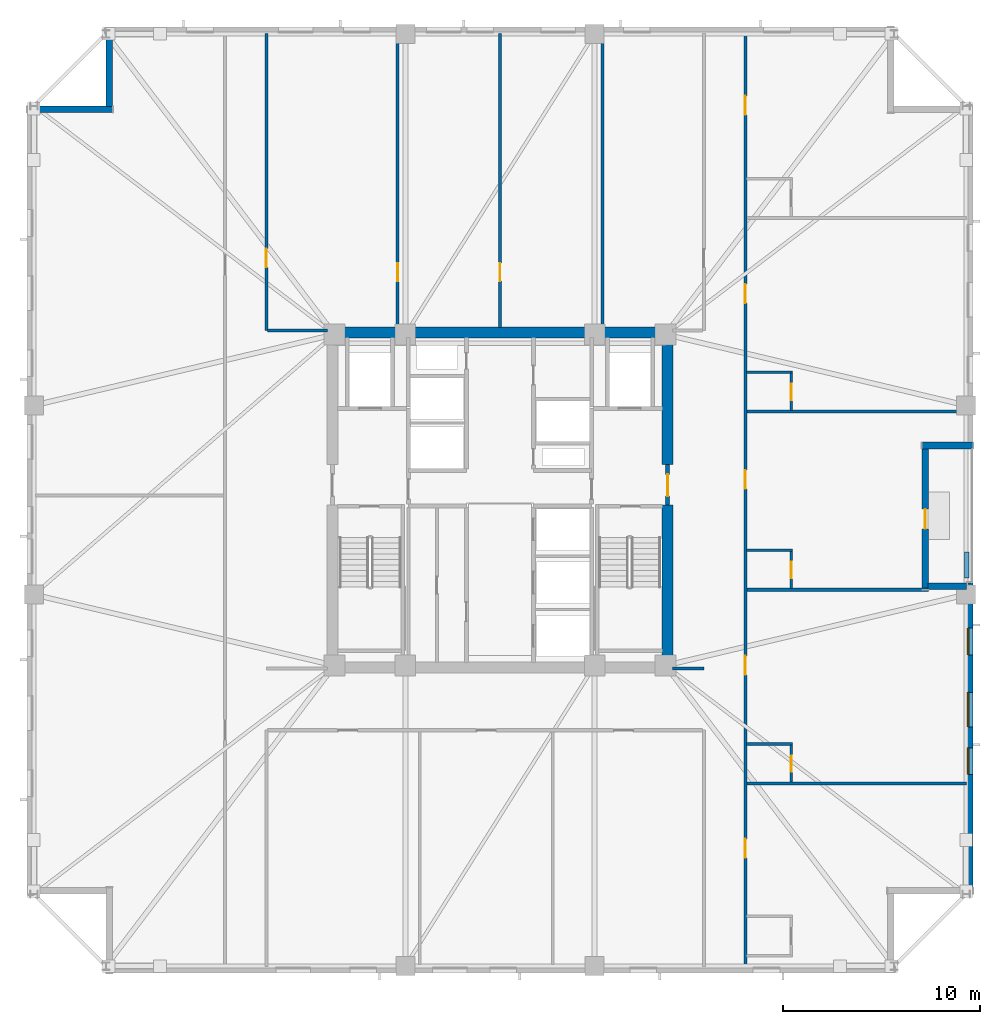
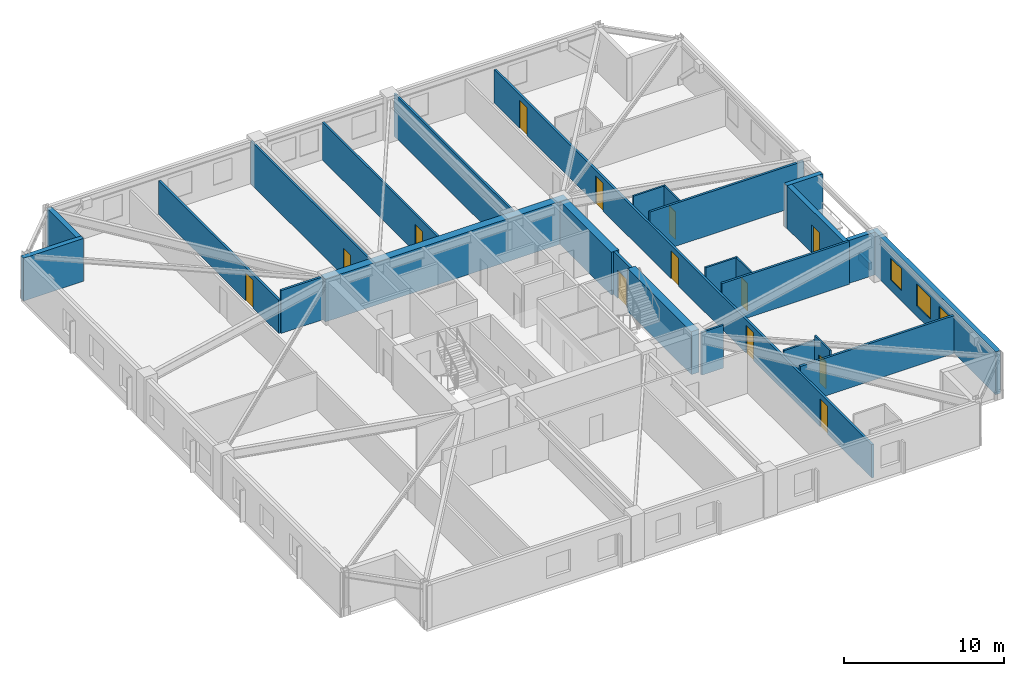
# One storey, part 4 of 10: 27 walls, 13 doors, 3 windows, 16 openings.
"""IFC4 building model written with IfcOpenShell, lengths in metres."""

from ifc_helpers import new_model, si_unit, direction, frame, frame_2d, origin, place, context, subcontext, project, spatial, rectangle, extrude, material, layer, layer_set, type_object, element, fill, save


model = new_model("IFC4")

# Units and contexts
model_context = context("Model", 3, precision=1e-05, world=origin(), true_north=direction((0.0, 1.0)))
body_context = subcontext(model_context, "Body", "Model", "MODEL_VIEW")
ifc_project = project(units=[si_unit("LENGTHUNIT", "METRE"), si_unit("AREAUNIT", "SQUARE_METRE"), si_unit("VOLUMEUNIT", "CUBIC_METRE"), si_unit("PLANEANGLEUNIT", "RADIAN"), si_unit("MASSUNIT", "GRAM", prefix="KILO")], contexts=[model_context])

# Site, building, storey
site_placement = place(None, origin())
site = spatial("IfcSite", under=ifc_project, at=site_placement, CompositionType="ELEMENT")
building_placement = place(site_placement, origin())
building = spatial("IfcBuilding", under=site, at=building_placement, Name="Cairnveth Concourse Tower", CompositionType="ELEMENT")
storey_placement = place(building_placement, frame((0.0, 0.0, 183.0)))
storey = spatial("IfcBuildingStorey", under=building, at=storey_placement, Name="L50", CompositionType="ELEMENT", Elevation=183.0)

# Wall, opening, door
ifc_material_1 = material(Name="Gypsum Plasterboard Partition", Category="gypsum")
ifc_layer_1 = layer(ifc_material_1, 0.159912109375)
ifc_layer_set_1 = layer_set([ifc_layer_1], Name="Gypsum Plasterboard Partition")
wall_type_1 = type_object("IfcWallType", Name="ACOUSTIC PARTY WALL 180", PredefinedType="PARTITIONING", material=ifc_layer_set_1)
wall_1_placement = place(storey_placement, frame((40.14990234375, 47.60009765625, 0.0), z_axis=(0.0, 0.0, 1.0), x_axis=(0.0, 1.0, 0.0)))
wall_1 = element("IfcWall", 1, at=wall_1_placement, inside=storey, type_object=wall_type_1, Name="Interior Wall IW-L50-038", PredefinedType="PARTITIONING", context=body_context, shape_type="SweptSolid", body=[
    extrude(rectangle(XDim=15.074951171875, YDim=0.159912109375, at=frame_2d((7.53759765625, 0.0))), origin(), (0.0, 0.0, 1.0), 2.554931640625),
])
opening_1_placement = place(wall_1_placement, frame((3.199951171875, 0.0, 0.0)))
opening_1 = element("IfcOpeningElement", 2, at=opening_1_placement, cuts=wall_1, Name="Opening ID11", PredefinedType="OPENING", context=body_context, shape_type="SweptSolid", body=[
    extrude(rectangle(XDim=0.9599609375, YDim=2.1201171875, at=frame_2d((0.47998046875, 1.06005859375))), frame((0.0, 0.08984375, 0.0), z_axis=(0.0, -1.0, 0.0), x_axis=(1.0, 0.0, 0.0)), (0.0, 0.0, 1.0), 0.179931640625),
])
ifc_material_2 = material(Name="Solid Core Hardwood Timber Leaf", Category="wood")
door_type_1 = type_object("IfcDoorType", Name="INTERIOR SINGLE DOOR 960X2150", OperationType="NOTDEFINED", PredefinedType="DOOR", material=ifc_material_2)
door_1_placement = place(opening_1_placement, origin())
door_1 = element("IfcDoor", 3, at=door_1_placement, inside=storey, type_object=door_type_1, Name="Interior Door DR-L50-015", OperationType="SINGLE_SWING_LEFT", OverallHeight=2.1201171875, OverallWidth=0.9599609375, PredefinedType="DOOR", context=body_context, shape_type="SweptSolid", body=[
    extrude(rectangle(XDim=0.9599609375, YDim=2.1201171875, at=frame_2d((0.47998046875, 1.06005859375))), frame((0.0, 0.02490234375, 0.0), z_axis=(0.0, -1.0, 0.0), x_axis=(1.0, 0.0, 0.0)), (0.0, 0.0, 1.0), 0.050048828125),
])
fill(opening_1, door_1)

# Wall
wall_2_placement = place(storey_placement, frame((40.215087890625, 47.60009765625, 0.0), z_axis=(0.0, 0.0, 1.0), x_axis=(1.0, 0.0, 0.0)))
element("IfcWall", 4, at=wall_2_placement, inside=storey, type_object=wall_type_1, Name="Interior Wall IW-L50-040", PredefinedType="PARTITIONING", context=body_context, shape_type="SweptSolid", body=[
    extrude(rectangle(XDim=3.02001953125, YDim=0.159912109375, at=frame_2d((1.510009765625, 0.0))), origin(), (0.0, 0.0, 1.0), 3.280029296875),
])

# Wall, openings, doors
wall_3_placement = place(storey_placement, frame((64.449951171875, 15.324951171875, 0.0), z_axis=(0.0, 0.0, 1.0), x_axis=(0.0, 1.0, 0.0)))
wall_3 = element("IfcWall", 5, at=wall_3_placement, inside=storey, type_object=wall_type_1, Name="Interior Wall IW-L50-041", PredefinedType="PARTITIONING", context=body_context, shape_type="SweptSolid", body=[
    extrude(rectangle(XDim=47.35009765625, YDim=0.159912109375, at=frame_2d((23.675048828125, 0.0))), origin(), (0.0, 0.0, 1.0), 2.554931640625),
])
opening_2_placement = place(wall_3_placement, frame((5.514892578125, 0.0, 0.0)))
opening_2 = element("IfcOpeningElement", 6, at=opening_2_placement, cuts=wall_3, Name="Opening ID09", PredefinedType="OPENING", context=body_context, shape_type="SweptSolid", body=[
    extrude(rectangle(XDim=0.9599609375, YDim=2.14990234375, at=frame_2d((0.47998046875, 1.074951171875))), frame((0.0, 0.08984375, 0.0), z_axis=(0.0, -1.0, 0.0), x_axis=(1.0, 0.0, 0.0)), (0.0, 0.0, 1.0), 0.179931640625),
])
opening_3_placement = place(wall_3_placement, frame((14.80224609375, 0.0, 0.0)))
opening_3 = element("IfcOpeningElement", 7, at=opening_3_placement, cuts=wall_3, Name="Opening ID09", PredefinedType="OPENING", context=body_context, shape_type="SweptSolid", body=[
    extrude(rectangle(XDim=0.9599609375, YDim=2.14990234375, at=frame_2d((0.47998046875, 1.074951171875))), frame((0.0, 0.08984375, 0.0), z_axis=(0.0, -1.0, 0.0), x_axis=(1.0, 0.0, 0.0)), (0.0, 0.0, 1.0), 0.179931640625),
])
opening_4_placement = place(wall_3_placement, frame((24.234130859375, 0.0, 0.0)))
opening_4 = element("IfcOpeningElement", 8, at=opening_4_placement, cuts=wall_3, Name="Opening ID09", PredefinedType="OPENING", context=body_context, shape_type="SweptSolid", body=[
    extrude(rectangle(XDim=0.9599609375, YDim=2.14990234375, at=frame_2d((0.47998046875, 1.074951171875))), frame((0.0, 0.08984375, 0.0), z_axis=(0.0, -1.0, 0.0), x_axis=(1.0, 0.0, 0.0)), (0.0, 0.0, 1.0), 0.179931640625),
])
opening_5_placement = place(wall_3_placement, frame((33.666259765625, 0.0, 0.0)))
opening_5 = element("IfcOpeningElement", 9, at=opening_5_placement, cuts=wall_3, Name="Opening ID09", PredefinedType="OPENING", context=body_context, shape_type="SweptSolid", body=[
    extrude(rectangle(XDim=0.9599609375, YDim=2.14990234375, at=frame_2d((0.47998046875, 1.074951171875))), frame((0.0, 0.08984375, 0.0), z_axis=(0.0, -1.0, 0.0), x_axis=(1.0, 0.0, 0.0)), (0.0, 0.0, 1.0), 0.179931640625),
])
opening_6_placement = place(wall_3_placement, frame((43.21435546875, 0.0, 0.0)))
opening_6 = element("IfcOpeningElement", 10, at=opening_6_placement, cuts=wall_3, Name="Opening ID09", PredefinedType="OPENING", context=body_context, shape_type="SweptSolid", body=[
    extrude(rectangle(XDim=0.9599609375, YDim=2.14990234375, at=frame_2d((0.47998046875, 1.074951171875))), frame((0.0, 0.08984375, 0.0), z_axis=(0.0, -1.0, 0.0), x_axis=(1.0, 0.0, 0.0)), (0.0, 0.0, 1.0), 0.179931640625),
])
door_type_2 = type_object("IfcDoorType", Name="HOTEL ENTRANCE DOOR 960X2150", OperationType="NOTDEFINED", PredefinedType="DOOR", material=ifc_material_2)
door_2_placement = place(opening_2_placement, origin())
door_2 = element("IfcDoor", 11, at=door_2_placement, inside=storey, type_object=door_type_2, Name="Hotel Room Door L50-E1", OperationType="SINGLE_SWING_LEFT", OverallHeight=2.14990234375, OverallWidth=0.9599609375, PredefinedType="DOOR", context=body_context, shape_type="SweptSolid", body=[
    extrude(rectangle(XDim=0.9599609375, YDim=2.14990234375, at=frame_2d((0.47998046875, 1.074951171875))), frame((0.0, 0.02490234375, 0.0), z_axis=(0.0, -1.0, 0.0), x_axis=(1.0, 0.0, 0.0)), (0.0, 0.0, 1.0), 0.050048828125),
])
fill(opening_2, door_2)
door_3_placement = place(opening_3_placement, origin())
door_3 = element("IfcDoor", 12, at=door_3_placement, inside=storey, type_object=door_type_2, Name="Hotel Room Door L50-E2", OperationType="SINGLE_SWING_LEFT", OverallHeight=2.14990234375, OverallWidth=0.9599609375, PredefinedType="DOOR", context=body_context, shape_type="SweptSolid", body=[
    extrude(rectangle(XDim=0.9599609375, YDim=2.14990234375, at=frame_2d((0.47998046875, 1.074951171875))), frame((0.0, 0.02490234375, 0.0), z_axis=(0.0, -1.0, 0.0), x_axis=(1.0, 0.0, 0.0)), (0.0, 0.0, 1.0), 0.050048828125),
])
fill(opening_3, door_3)
door_4_placement = place(opening_4_placement, origin())
door_4 = element("IfcDoor", 13, at=door_4_placement, inside=storey, type_object=door_type_2, Name="Hotel Room Door L50-E3", OperationType="SINGLE_SWING_LEFT", OverallHeight=2.14990234375, OverallWidth=0.9599609375, PredefinedType="DOOR", context=body_context, shape_type="SweptSolid", body=[
    extrude(rectangle(XDim=0.9599609375, YDim=2.14990234375, at=frame_2d((0.47998046875, 1.074951171875))), frame((0.0, 0.02490234375, 0.0), z_axis=(0.0, -1.0, 0.0), x_axis=(1.0, 0.0, 0.0)), (0.0, 0.0, 1.0), 0.050048828125),
])
fill(opening_4, door_4)
door_5_placement = place(opening_5_placement, origin())
door_5 = element("IfcDoor", 14, at=door_5_placement, inside=storey, type_object=door_type_2, Name="Hotel Room Door L50-E4", OperationType="SINGLE_SWING_LEFT", OverallHeight=2.14990234375, OverallWidth=0.9599609375, PredefinedType="DOOR", context=body_context, shape_type="SweptSolid", body=[
    extrude(rectangle(XDim=0.9599609375, YDim=2.14990234375, at=frame_2d((0.47998046875, 1.074951171875))), frame((0.0, 0.02490234375, 0.0), z_axis=(0.0, -1.0, 0.0), x_axis=(1.0, 0.0, 0.0)), (0.0, 0.0, 1.0), 0.050048828125),
])
fill(opening_5, door_5)
door_6_placement = place(opening_6_placement, origin())
door_6 = element("IfcDoor", 15, at=door_6_placement, inside=storey, type_object=door_type_2, Name="Hotel Room Door L50-E5", OperationType="SINGLE_SWING_LEFT", OverallHeight=2.14990234375, OverallWidth=0.9599609375, PredefinedType="DOOR", context=body_context, shape_type="SweptSolid", body=[
    extrude(rectangle(XDim=0.9599609375, YDim=2.14990234375, at=frame_2d((0.47998046875, 1.074951171875))), frame((0.0, 0.02490234375, 0.0), z_axis=(0.0, -1.0, 0.0), x_axis=(1.0, 0.0, 0.0)), (0.0, 0.0, 1.0), 0.050048828125),
])
fill(opening_6, door_6)

# Walls
wall_4_placement = place(storey_placement, frame((64.530029296875, 24.61962890625, 0.0), z_axis=(0.0, 0.0, 1.0), x_axis=(1.0, 0.0, 0.0)))
element("IfcWall", 16, at=wall_4_placement, inside=storey, type_object=wall_type_1, Name="Interior Wall IW-L50-056", PredefinedType="PARTITIONING", context=body_context, shape_type="SweptSolid", body=[
    extrude(rectangle(XDim=11.14501953125, YDim=0.159912109375, at=frame_2d((5.572509765625, 0.0))), origin(), (0.0, 0.0, 1.0), 2.89599609375),
])
wall_5_placement = place(storey_placement, frame((64.530029296875, 34.44482421875, 0.0), z_axis=(0.0, 0.0, 1.0), x_axis=(1.0, 0.0, 0.0)))
element("IfcWall", 17, at=wall_5_placement, inside=storey, type_object=wall_type_1, Name="Interior Wall IW-L50-059", PredefinedType="PARTITIONING", context=body_context, shape_type="SweptSolid", body=[
    extrude(rectangle(XDim=9.2080078125, YDim=0.159912109375, at=frame_2d((4.60400390625, 0.0))), origin(), (0.0, 0.0, 1.0), 3.280029296875),
])
wall_6_placement = place(storey_placement, frame((64.530029296875, 43.483642578125, 0.0), z_axis=(0.0, 0.0, 1.0), x_axis=(1.0, 0.0, 0.0)))
element("IfcWall", 18, at=wall_6_placement, inside=storey, type_object=wall_type_1, Name="Interior Wall IW-L50-062", PredefinedType="PARTITIONING", context=body_context, shape_type="SweptSolid", body=[
    extrude(rectangle(XDim=11.14501953125, YDim=0.159912109375, at=frame_2d((5.572509765625, 0.0))), origin(), (0.0, 0.0, 1.0), 3.280029296875),
])
ifc_material_3 = material(Name="Concrete N80 (80 MPa)", Category="concrete")
ifc_layer_2 = layer(ifc_material_3, 0.550048828125)
ifc_layer_set_2 = layer_set([ifc_layer_2], Name="Concrete N80 (80 MPa)")
wall_type_2 = type_object("IfcWallType", Name="CORE SHEAR WALL 550", PredefinedType="SHEAR", material=ifc_layer_set_2)
wall_7_placement = place(storey_placement, frame((43.22509765625, 47.5, 0.0), z_axis=(0.0, 0.0, 1.0), x_axis=(1.0, 0.0, 0.0)))
element("IfcWall", 19, at=wall_7_placement, inside=storey, type_object=wall_type_2, Name="Core North Shear Wall L50", PredefinedType="SHEAR", context=body_context, shape_type="SweptSolid", body=[
    extrude(rectangle(XDim=17.5498046875, YDim=0.550048828125, at=frame_2d((8.77490234375, 0.0))), origin(), (0.0, 0.0, 1.0), 3.280029296875),
])
wall_8_placement = place(storey_placement, frame((60.5, 30.764892578125, 0.0), z_axis=(0.0, 0.0, 1.0), x_axis=(0.0, 1.0, 0.0)))
element("IfcWall", 20, at=wall_8_placement, inside=storey, type_object=wall_type_2, Name="Core East Shear Wall S L50", PredefinedType="SHEAR", context=body_context, shape_type="SweptSolid", body=[
    extrude(rectangle(XDim=7.985107421875, YDim=0.550048828125, at=frame_2d((3.99267578125, 0.0))), origin(), (0.0, 0.0, 1.0), 3.280029296875),
])
wall_9_placement = place(storey_placement, frame((60.5, 40.800048828125, 0.0), z_axis=(0.0, 0.0, 1.0), x_axis=(0.0, 1.0, 0.0)))
element("IfcWall", 21, at=wall_9_placement, inside=storey, type_object=wall_type_2, Name="Core East Shear Wall N L50", PredefinedType="SHEAR", context=body_context, shape_type="SweptSolid", body=[
    extrude(rectangle(XDim=6.43505859375, YDim=0.550048828125, at=frame_2d((3.217529296875, 0.0))), origin(), (0.0, 0.0, 1.0), 3.280029296875),
])

# Wall, opening, door
ifc_material_4 = material(Name="Concrete N50 (50 MPa)", Category="concrete")
ifc_layer_3 = layer(ifc_material_4, 0.199951171875)
ifc_layer_set_3 = layer_set([ifc_layer_3], Name="Concrete N50 (50 MPa)")
wall_type_3 = type_object("IfcWallType", Name="FIRE SHAFT WALL 200", PredefinedType="SOLIDWALL", material=ifc_layer_set_3)
wall_10_placement = place(storey_placement, frame((60.5, 38.75, 0.0), z_axis=(0.0, 0.0, 1.0), x_axis=(0.0, 1.0, 0.0)))
wall_10 = element("IfcWall", 22, at=wall_10_placement, inside=storey, type_object=wall_type_3, Name="Interior Wall IW-L50-020", PredefinedType="SOLIDWALL", context=body_context, shape_type="SweptSolid", body=[
    extrude(rectangle(XDim=2.050048828125, YDim=0.199951171875, at=frame_2d((1.02490234375, 0.0))), origin(), (0.0, 0.0, 1.0), 3.280029296875),
])
opening_7_placement = place(wall_10_placement, frame((0.449951171875, 0.0, 0.0)))
opening_7 = element("IfcOpeningElement", 23, at=opening_7_placement, cuts=wall_10, Name="Opening ID06", PredefinedType="OPENING", context=body_context, shape_type="SweptSolid", body=[
    extrude(rectangle(XDim=1.10009765625, YDim=2.14990234375, at=frame_2d((0.550048828125, 1.074951171875))), frame((0.0, 0.10986328125, 0.0), z_axis=(0.0, -1.0, 0.0), x_axis=(1.0, 0.0, 0.0)), (0.0, 0.0, 1.0), 0.219970703125),
])
ifc_material_5 = material(Name="Steel Grade 350", Category="steel")
door_type_3 = type_object("IfcDoorType", Name="FIRE CORRIDOR DOOR 1100X2150", OperationType="NOTDEFINED", PredefinedType="DOOR", material=ifc_material_5)
door_7_placement = place(opening_7_placement, origin())
door_7 = element("IfcDoor", 24, at=door_7_placement, inside=storey, type_object=door_type_3, Name="East Wing to FF Lobby Door L50", OperationType="SINGLE_SWING_RIGHT", OverallHeight=2.14990234375, OverallWidth=1.10009765625, PredefinedType="DOOR", context=body_context, shape_type="SweptSolid", body=[
    extrude(rectangle(XDim=1.10009765625, YDim=2.14990234375, at=frame_2d((0.550048828125, 1.074951171875))), frame((0.0, 0.02490234375, 0.0), z_axis=(0.0, -1.0, 0.0), x_axis=(1.0, 0.0, 0.0)), (0.0, 0.0, 1.0), 0.050048828125),
])
fill(opening_7, door_7)

# Wall
ifc_layer_4 = layer(ifc_material_1, 0.139892578125)
ifc_layer_set_4 = layer_set([ifc_layer_4], Name="Gypsum Plasterboard Partition")
wall_type_4 = type_object("IfcWallType", Name="GYPSUM STUD PARTITION 140", PredefinedType="PARTITIONING", material=ifc_layer_set_4)
wall_11_placement = place(storey_placement, frame((60.764892578125, 30.449951171875, 0.0), z_axis=(0.0, 0.0, 1.0), x_axis=(1.0, 0.0, 0.0)))
element("IfcWall", 25, at=wall_11_placement, inside=storey, type_object=wall_type_4, Name="Interior Wall IW-L50-044", PredefinedType="PARTITIONING", context=body_context, shape_type="SweptSolid", body=[
    extrude(rectangle(XDim=1.585205078125, YDim=0.139892578125, at=frame_2d((0.79248046875, 0.0))), origin(), (0.0, 0.0, 1.0), 3.280029296875),
])

# Wall, opening, door
wall_12_placement = place(storey_placement, frame((46.800048828125, 47.760009765625, 0.0), z_axis=(0.0, 0.0, 1.0), x_axis=(0.0, 1.0, 0.0)))
wall_12 = element("IfcWall", 26, at=wall_12_placement, inside=storey, type_object=wall_type_4, Name="Interior Wall IW-L50-047", PredefinedType="PARTITIONING", context=body_context, shape_type="SweptSolid", body=[
    extrude(rectangle(XDim=14.9150390625, YDim=0.139892578125, at=frame_2d((7.45751953125, 0.0))), origin(), (0.0, 0.0, 1.0), 3.280029296875),
])
opening_8_placement = place(wall_12_placement, frame((2.340087890625, 0.0, 0.0)))
opening_8 = element("IfcOpeningElement", 27, at=opening_8_placement, cuts=wall_12, Name="Opening ID15", PredefinedType="OPENING", context=body_context, shape_type="SweptSolid", body=[
    extrude(rectangle(XDim=0.919921875, YDim=2.1201171875, at=frame_2d((0.4599609375, 1.06005859375))), frame((0.0, 0.079833984375, 0.0), z_axis=(0.0, -1.0, 0.0), x_axis=(1.0, 0.0, 0.0)), (0.0, 0.0, 1.0), 0.159912109375),
])
door_type_4 = type_object("IfcDoorType", Name="INTERIOR SINGLE DOOR 920X2100", OperationType="NOTDEFINED", PredefinedType="DOOR", material=ifc_material_2)
door_8_placement = place(opening_8_placement, origin())
door_8 = element("IfcDoor", 28, at=door_8_placement, inside=storey, type_object=door_type_4, Name="Interior Door DR-L50-016", OperationType="SINGLE_SWING_RIGHT", OverallHeight=2.1201171875, OverallWidth=0.919921875, PredefinedType="DOOR", context=body_context, shape_type="SweptSolid", body=[
    extrude(rectangle(XDim=0.919921875, YDim=2.1201171875, at=frame_2d((0.4599609375, 1.06005859375))), frame((0.0, 0.02490234375, 0.0), z_axis=(0.0, -1.0, 0.0), x_axis=(1.0, 0.0, 0.0)), (0.0, 0.0, 1.0), 0.050048828125),
])
fill(opening_8, door_8)

wall_13_placement = place(storey_placement, frame((52.0, 47.760009765625, 0.0), z_axis=(0.0, 0.0, 1.0), x_axis=(0.0, 1.0, 0.0)))
wall_13 = element("IfcWall", 29, at=wall_13_placement, inside=storey, type_object=wall_type_4, Name="Interior Wall IW-L50-048", PredefinedType="PARTITIONING", context=body_context, shape_type="SweptSolid", body=[
    extrude(rectangle(XDim=14.9150390625, YDim=0.139892578125, at=frame_2d((7.45751953125, 0.0))), origin(), (0.0, 0.0, 1.0), 2.89599609375),
])
opening_9_placement = place(wall_13_placement, frame((2.340087890625, 0.0, 0.0)))
opening_9 = element("IfcOpeningElement", 30, at=opening_9_placement, cuts=wall_13, Name="Opening ID15", PredefinedType="OPENING", context=body_context, shape_type="SweptSolid", body=[
    extrude(rectangle(XDim=0.919921875, YDim=2.1201171875, at=frame_2d((0.4599609375, 1.06005859375))), frame((0.0, 0.079833984375, 0.0), z_axis=(0.0, -1.0, 0.0), x_axis=(1.0, 0.0, 0.0)), (0.0, 0.0, 1.0), 0.159912109375),
])
door_9_placement = place(opening_9_placement, origin())
door_9 = element("IfcDoor", 31, at=door_9_placement, inside=storey, type_object=door_type_4, Name="Interior Door DR-L50-017", OperationType="SINGLE_SWING_LEFT", OverallHeight=2.1201171875, OverallWidth=0.919921875, PredefinedType="DOOR", context=body_context, shape_type="SweptSolid", body=[
    extrude(rectangle(XDim=0.919921875, YDim=2.1201171875, at=frame_2d((0.4599609375, 1.06005859375))), frame((0.0, 0.02490234375, 0.0), z_axis=(0.0, -1.0, 0.0), x_axis=(1.0, 0.0, 0.0)), (0.0, 0.0, 1.0), 0.050048828125),
])
fill(opening_9, door_9)

# Walls
wall_14_placement = place(storey_placement, frame((57.199951171875, 47.760009765625, 0.0), z_axis=(0.0, 0.0, 1.0), x_axis=(0.0, 1.0, 0.0)))
element("IfcWall", 32, at=wall_14_placement, inside=storey, type_object=wall_type_4, Name="Interior Wall IW-L50-049", PredefinedType="PARTITIONING", context=body_context, shape_type="SweptSolid", body=[
    extrude(rectangle(XDim=14.9150390625, YDim=0.139892578125, at=frame_2d((7.45751953125, 0.0))), origin(), (0.0, 0.0, 1.0), 3.280029296875),
])
ifc_material_6 = material(Name="Dressed Melbourne Bluestone Cladding", Category="masonry")
ifc_layer_5 = layer(ifc_material_6, 0.219970703125)
ifc_layer_set_5 = layer_set([ifc_layer_5], Name="Dressed Melbourne Bluestone Cladding")
wall_type_5 = type_object("IfcWallType", Name="TERRACE PLANTER CURB WALL 220", PredefinedType="PARAPET", material=ifc_layer_set_5)
wall_15_placement = place(storey_placement, frame((75.679931640625, 35.050048828125, 0.0), z_axis=(0.0, 0.0, 1.0), x_axis=(0.0, 1.0, 0.0)))
element("IfcWall", 33, at=wall_15_placement, inside=storey, type_object=wall_type_5, Name="Exterior Wall PLNT-L50-TERR", PredefinedType="PARAPET", context=body_context, shape_type="SweptSolid", body=[
    extrude(rectangle(XDim=1.300048828125, YDim=0.219970703125, at=frame_2d((0.64990234375, 0.0))), origin(), (0.0, 0.0, 1.0), 0.550048828125),
])
ifc_layer_6 = layer(ifc_material_1, 0.1298828125)
ifc_layer_set_6 = layer_set([ifc_layer_6], Name="Gypsum Plasterboard Partition")
wall_type_6 = type_object("IfcWallType", Name="WET AREA PARTITION 140", PredefinedType="PLUMBINGWALL", material=ifc_layer_set_6)
wall_16_placement = place(storey_placement, frame((64.514892578125, 26.61962890625, 0.0), z_axis=(0.0, 0.0, 1.0), x_axis=(1.0, 0.0, 0.0)))
element("IfcWall", 34, at=wall_16_placement, inside=storey, type_object=wall_type_6, Name="Interior Wall IW-L50-057", PredefinedType="PLUMBINGWALL", context=body_context, shape_type="SweptSolid", body=[
    extrude(rectangle(XDim=2.315185546875, YDim=0.1298828125, at=frame_2d((1.15771484375, 0.0))), origin(), (0.0, 0.0, 1.0), 2.89599609375),
])

# Wall, opening, door
wall_17_placement = place(storey_placement, frame((66.780029296875, 24.6845703125, 0.0), z_axis=(0.0, 0.0, 1.0), x_axis=(0.0, 1.0, 0.0)))
wall_17 = element("IfcWall", 35, at=wall_17_placement, inside=storey, type_object=wall_type_6, Name="Interior Wall IW-L50-058", PredefinedType="PLUMBINGWALL", context=body_context, shape_type="SweptSolid", body=[
    extrude(rectangle(XDim=1.885009765625, YDim=0.1298828125, at=frame_2d((0.9423828125, 0.0))), origin(), (0.0, 0.0, 1.0), 3.280029296875),
])
opening_10_placement = place(wall_17_placement, frame((0.52490234375, 0.0, 0.0)))
opening_10 = element("IfcOpeningElement", 36, at=opening_10_placement, cuts=wall_17, Name="Opening ID22", PredefinedType="OPENING", context=body_context, shape_type="SweptSolid", body=[
    extrude(rectangle(XDim=0.820068359375, YDim=2.10009765625, at=frame_2d((0.41015625, 1.050048828125))), frame((0.0, 0.074951171875, 0.0), z_axis=(0.0, -1.0, 0.0), x_axis=(1.0, 0.0, 0.0)), (0.0, 0.0, 1.0), 0.14990234375),
])
door_type_5 = type_object("IfcDoorType", Name="INTERIOR WC DOOR 820X2100", OperationType="NOTDEFINED", PredefinedType="DOOR", material=ifc_material_2)
door_10_placement = place(opening_10_placement, origin())
door_10 = element("IfcDoor", 37, at=door_10_placement, inside=storey, type_object=door_type_5, Name="En-Suite Door L50-E2", OperationType="SINGLE_SWING_RIGHT", OverallHeight=2.10009765625, OverallWidth=0.820068359375, PredefinedType="DOOR", context=body_context, shape_type="SweptSolid", body=[
    extrude(rectangle(XDim=0.820068359375, YDim=2.10009765625, at=frame_2d((0.41015625, 1.050048828125))), frame((0.0, 0.02490234375, 0.0), z_axis=(0.0, -1.0, 0.0), x_axis=(1.0, 0.0, 0.0)), (0.0, 0.0, 1.0), 0.050048828125),
])
fill(opening_10, door_10)

# Wall
wall_18_placement = place(storey_placement, frame((64.514892578125, 36.44482421875, 0.0), z_axis=(0.0, 0.0, 1.0), x_axis=(1.0, 0.0, 0.0)))
element("IfcWall", 38, at=wall_18_placement, inside=storey, type_object=wall_type_6, Name="Interior Wall IW-L50-060", PredefinedType="PLUMBINGWALL", context=body_context, shape_type="SweptSolid", body=[
    extrude(rectangle(XDim=2.315185546875, YDim=0.1298828125, at=frame_2d((1.15771484375, 0.0))), origin(), (0.0, 0.0, 1.0), 3.280029296875),
])

# Wall, opening, door
wall_19_placement = place(storey_placement, frame((66.780029296875, 34.510009765625, 0.0), z_axis=(0.0, 0.0, 1.0), x_axis=(0.0, 1.0, 0.0)))
wall_19 = element("IfcWall", 39, at=wall_19_placement, inside=storey, type_object=wall_type_6, Name="Interior Wall IW-L50-061", PredefinedType="PLUMBINGWALL", context=body_context, shape_type="SweptSolid", body=[
    extrude(rectangle(XDim=1.885009765625, YDim=0.1298828125, at=frame_2d((0.9423828125, 0.0))), origin(), (0.0, 0.0, 1.0), 3.280029296875),
])
opening_11_placement = place(wall_19_placement, frame((0.52490234375, 0.0, 0.0)))
opening_11 = element("IfcOpeningElement", 40, at=opening_11_placement, cuts=wall_19, Name="Opening ID22", PredefinedType="OPENING", context=body_context, shape_type="SweptSolid", body=[
    extrude(rectangle(XDim=0.820068359375, YDim=2.10009765625, at=frame_2d((0.41015625, 1.050048828125))), frame((0.0, 0.074951171875, 0.0), z_axis=(0.0, -1.0, 0.0), x_axis=(1.0, 0.0, 0.0)), (0.0, 0.0, 1.0), 0.14990234375),
])
door_11_placement = place(opening_11_placement, origin())
door_11 = element("IfcDoor", 41, at=door_11_placement, inside=storey, type_object=door_type_5, Name="En-Suite Door L50-E3", OperationType="SINGLE_SWING_RIGHT", OverallHeight=2.10009765625, OverallWidth=0.820068359375, PredefinedType="DOOR", context=body_context, shape_type="SweptSolid", body=[
    extrude(rectangle(XDim=0.820068359375, YDim=2.10009765625, at=frame_2d((0.41015625, 1.050048828125))), frame((0.0, 0.02490234375, 0.0), z_axis=(0.0, -1.0, 0.0), x_axis=(1.0, 0.0, 0.0)), (0.0, 0.0, 1.0), 0.050048828125),
])
fill(opening_11, door_11)

# Wall
wall_20_placement = place(storey_placement, frame((64.514892578125, 45.483642578125, 0.0), z_axis=(0.0, 0.0, 1.0), x_axis=(1.0, 0.0, 0.0)))
element("IfcWall", 42, at=wall_20_placement, inside=storey, type_object=wall_type_6, Name="Interior Wall IW-L50-063", PredefinedType="PLUMBINGWALL", context=body_context, shape_type="SweptSolid", body=[
    extrude(rectangle(XDim=2.315185546875, YDim=0.1298828125, at=frame_2d((1.15771484375, 0.0))), origin(), (0.0, 0.0, 1.0), 3.280029296875),
])

# Wall, opening, door
wall_21_placement = place(storey_placement, frame((66.780029296875, 43.548583984375, 0.0), z_axis=(0.0, 0.0, 1.0), x_axis=(0.0, 1.0, 0.0)))
wall_21 = element("IfcWall", 43, at=wall_21_placement, inside=storey, type_object=wall_type_6, Name="Interior Wall IW-L50-064", PredefinedType="PLUMBINGWALL", context=body_context, shape_type="SweptSolid", body=[
    extrude(rectangle(XDim=1.885009765625, YDim=0.1298828125, at=frame_2d((0.9423828125, 0.0))), origin(), (0.0, 0.0, 1.0), 3.280029296875),
])
opening_12_placement = place(wall_21_placement, frame((0.52490234375, 0.0, 0.0)))
opening_12 = element("IfcOpeningElement", 44, at=opening_12_placement, cuts=wall_21, Name="Opening ID22", PredefinedType="OPENING", context=body_context, shape_type="SweptSolid", body=[
    extrude(rectangle(XDim=0.820068359375, YDim=2.10009765625, at=frame_2d((0.41015625, 1.050048828125))), frame((0.0, 0.074951171875, 0.0), z_axis=(0.0, -1.0, 0.0), x_axis=(1.0, 0.0, 0.0)), (0.0, 0.0, 1.0), 0.14990234375),
])
door_12_placement = place(opening_12_placement, origin())
door_12 = element("IfcDoor", 45, at=door_12_placement, inside=storey, type_object=door_type_5, Name="En-Suite Door L50-E4", OperationType="SINGLE_SWING_RIGHT", OverallHeight=2.10009765625, OverallWidth=0.820068359375, PredefinedType="DOOR", context=body_context, shape_type="SweptSolid", body=[
    extrude(rectangle(XDim=0.820068359375, YDim=2.10009765625, at=frame_2d((0.41015625, 1.050048828125))), frame((0.0, 0.02490234375, 0.0), z_axis=(0.0, -1.0, 0.0), x_axis=(1.0, 0.0, 0.0)), (0.0, 0.0, 1.0), 0.050048828125),
])
fill(opening_12, door_12)

# Wall, openings, windows
ifc_material_7 = material(Name="Hawthorn Red-Ochre Fired Clay Brick Masonry", Category="masonry")
ifc_layer_7 = layer(ifc_material_7, 0.340087890625)
ifc_layer_set_7 = layer_set([ifc_layer_7], Name="Hawthorn Red-Ochre Fired Clay Brick Masonry")
wall_type_7 = type_object("IfcWallType", Name="ZONE 2 BRICK PIER SPANDREL WALL 340", PredefinedType="SOLIDWALL", material=ifc_layer_set_7)
wall_22_placement = place(storey_placement, frame((75.830078125, 34.800048828125, 0.0), z_axis=(0.0, 0.0, 1.0), x_axis=(0.0, -1.0, 0.0)))
wall_22 = element("IfcWall", 46, at=wall_22_placement, inside=storey, type_object=wall_type_7, Name="Exterior Wall EW-L50-S00", PredefinedType="SOLIDWALL", context=body_context, shape_type="SweptSolid", body=[
    extrude(rectangle(XDim=15.48193359375, YDim=0.340087890625, at=frame_2d((7.740966796875, 0.0))), origin(), (0.0, 0.0, 1.0), 3.280029296875),
])
opening_13_placement = place(wall_22_placement, frame((2.305419921875, 0.0, 0.800048828125)))
opening_13 = element("IfcOpeningElement", 47, at=opening_13_placement, cuts=wall_22, Name="Opening W02", PredefinedType="OPENING", context=body_context, shape_type="SweptSolid", body=[
    extrude(rectangle(XDim=1.35009765625, YDim=1.659912109375, at=frame_2d((0.675048828125, 0.830078125))), frame((0.0, 0.179931640625, 0.0), z_axis=(0.0, -1.0, 0.0), x_axis=(1.0, 0.0, 0.0)), (0.0, 0.0, 1.0), 0.360107421875),
])
opening_14_placement = place(wall_22_placement, frame((5.56591796875, 0.0, 0.800048828125)))
opening_14 = element("IfcOpeningElement", 48, at=opening_14_placement, cuts=wall_22, Name="Opening W06", PredefinedType="OPENING", context=body_context, shape_type="SweptSolid", body=[
    extrude(rectangle(XDim=1.75, YDim=1.659912109375, at=frame_2d((0.875, 0.830078125))), frame((0.0, 0.179931640625, 0.0), z_axis=(0.0, -1.0, 0.0), x_axis=(1.0, 0.0, 0.0)), (0.0, 0.0, 1.0), 0.360107421875),
])
opening_15_placement = place(wall_22_placement, frame((8.376708984375, 0.0, 0.800048828125)))
opening_15 = element("IfcOpeningElement", 49, at=opening_15_placement, cuts=wall_22, Name="Opening W02", PredefinedType="OPENING", context=body_context, shape_type="SweptSolid", body=[
    extrude(rectangle(XDim=1.35009765625, YDim=1.659912109375, at=frame_2d((0.675048828125, 0.830078125))), frame((0.0, 0.179931640625, 0.0), z_axis=(0.0, -1.0, 0.0), x_axis=(1.0, 0.0, 0.0)), (0.0, 0.0, 1.0), 0.360107421875),
])
ifc_material_8 = material(Name="Double Glazed Low-E Clear Glass", Category="glass")
window_type_1 = type_object("IfcWindowType", Name="DEEP-SET GOTHIC LANCET WINDOW 1350X1800", PartitioningType="DOUBLE_PANEL_VERTICAL", PredefinedType="WINDOW", material=ifc_material_8)
window_1_placement = place(opening_13_placement, origin())
window_1 = element("IfcWindow", 50, at=window_1_placement, inside=storey, type_object=window_type_1, Name="Gothic Lancet Window L50-0-1", OverallHeight=1.659912109375, OverallWidth=1.35009765625, PartitioningType="SINGLE_PANEL", PredefinedType="WINDOW", context=body_context, shape_type="SweptSolid", body=[
    extrude(rectangle(XDim=1.35009765625, YDim=1.659912109375, at=frame_2d((0.675048828125, 0.830078125))), frame((0.0, -0.050048828125, 0.0), z_axis=(0.0, -1.0, 0.0), x_axis=(1.0, 0.0, 0.0)), (0.0, 0.0, 1.0), 0.06005859375),
])
fill(opening_13, window_1)
window_2_placement = place(opening_15_placement, origin())
window_2 = element("IfcWindow", 51, at=window_2_placement, inside=storey, type_object=window_type_1, Name="Gothic Lancet Window L50-0-3", OverallHeight=1.659912109375, OverallWidth=1.35009765625, PartitioningType="SINGLE_PANEL", PredefinedType="WINDOW", context=body_context, shape_type="SweptSolid", body=[
    extrude(rectangle(XDim=1.35009765625, YDim=1.659912109375, at=frame_2d((0.675048828125, 0.830078125))), frame((0.0, -0.050048828125, 0.0), z_axis=(0.0, -1.0, 0.0), x_axis=(1.0, 0.0, 0.0)), (0.0, 0.0, 1.0), 0.06005859375),
])
fill(opening_15, window_2)
window_type_2 = type_object("IfcWindowType", Name="DEEP-SET HOTEL SUITE WINDOW 1750X1800", PartitioningType="DOUBLE_PANEL_VERTICAL", PredefinedType="WINDOW", material=ifc_material_8)
window_3_placement = place(opening_14_placement, origin())
window_3 = element("IfcWindow", 52, at=window_3_placement, inside=storey, type_object=window_type_2, Name="Gothic Lancet Window L50-0-2", OverallHeight=1.659912109375, OverallWidth=1.75, PartitioningType="SINGLE_PANEL", PredefinedType="WINDOW", context=body_context, shape_type="SweptSolid", body=[
    extrude(rectangle(XDim=1.75, YDim=1.659912109375, at=frame_2d((0.875, 0.830078125))), frame((0.0, -0.050048828125, 0.0), z_axis=(0.0, -1.0, 0.0), x_axis=(1.0, 0.0, 0.0)), (0.0, 0.0, 1.0), 0.06005859375),
])
fill(opening_14, window_3)

# Walls
wall_23_placement = place(storey_placement, frame((28.0, 58.830078125, 0.0), z_axis=(0.0, 0.0, 1.0), x_axis=(1.0, 0.0, 0.0)))
element("IfcWall", 53, at=wall_23_placement, inside=storey, type_object=wall_type_7, Name="Exterior Wall EW-L50-S07", PredefinedType="SOLIDWALL", context=body_context, shape_type="SweptSolid", body=[
    extrude(rectangle(XDim=4.340087890625, YDim=0.340087890625, at=frame_2d((2.169921875, 0.0))), origin(), (0.0, 0.0, 1.0), 3.280029296875),
])
wall_24_placement = place(storey_placement, frame((32.169921875, 58.97802734375, 0.0), z_axis=(0.0, 0.0, 1.0), x_axis=(0.0, 1.0, 0.0)))
element("IfcWall", 54, at=wall_24_placement, inside=storey, type_object=wall_type_7, Name="Exterior Wall EW-L50-S08", PredefinedType="SOLIDWALL", context=body_context, shape_type="SweptSolid", body=[
    extrude(rectangle(XDim=3.703857421875, YDim=0.340087890625, at=frame_2d((1.85205078125, 0.0))), origin(), (0.0, 0.0, 1.0), 3.280029296875),
])
wall_25_placement = place(storey_placement, frame((76.0, 41.77001953125, 0.0), z_axis=(0.0, 0.0, 1.0), x_axis=(-1.0, 0.0, 0.0)))
element("IfcWall", 55, at=wall_25_placement, inside=storey, type_object=wall_type_7, Name="Exterior Wall EW-L50-S13", PredefinedType="SOLIDWALL", context=body_context, shape_type="SweptSolid", body=[
    extrude(rectangle(XDim=2.590087890625, YDim=0.340087890625, at=frame_2d((1.294921875, 0.0))), origin(), (0.0, 0.0, 1.0), 3.280029296875),
])

# Wall, opening, door
wall_26_placement = place(storey_placement, frame((73.580078125, 41.6220703125, 0.0), z_axis=(0.0, 0.0, 1.0), x_axis=(0.0, -1.0, 0.0)))
wall_26 = element("IfcWall", 56, at=wall_26_placement, inside=storey, type_object=wall_type_7, Name="Exterior Wall EW-L50-S14", PredefinedType="SOLIDWALL", context=body_context, shape_type="SweptSolid", body=[
    extrude(rectangle(XDim=7.162109375, YDim=0.340087890625, at=frame_2d((3.5810546875, 0.0))), origin(), (0.0, 0.0, 1.0), 3.280029296875),
])
opening_16_placement = place(wall_26_placement, frame((3.0810546875, 0.0, 0.0)))
opening_16 = element("IfcOpeningElement", 57, at=opening_16_placement, cuts=wall_26, Name="Opening ED4", PredefinedType="OPENING", context=body_context, shape_type="SweptSolid", body=[
    extrude(rectangle(XDim=1.0, YDim=2.14990234375, at=frame_2d((0.5, 1.074951171875))), frame((0.0, 0.179931640625, 0.0), z_axis=(0.0, -1.0, 0.0), x_axis=(1.0, 0.0, 0.0)), (0.0, 0.0, 1.0), 0.360107421875),
])
ifc_material_9 = material(Name="Architectural Bronze Anodised Aluminium 6063-T6", Category="aluminium")
door_type_6 = type_object("IfcDoorType", Name="TERRACE GLAZED DOOR 1000X2150", OperationType="NOTDEFINED", PredefinedType="DOOR", material=ifc_material_9)
door_13_placement = place(opening_16_placement, origin())
door_13 = element("IfcDoor", 58, at=door_13_placement, inside=storey, type_object=door_type_6, Name="Spiral Terrace Door L50", OperationType="SINGLE_SWING_LEFT", OverallHeight=2.14990234375, OverallWidth=1.0, PredefinedType="DOOR", context=body_context, shape_type="SweptSolid", body=[
    extrude(rectangle(XDim=1.0, YDim=2.14990234375, at=frame_2d((0.5, 1.074951171875))), frame((0.0, 0.02490234375, 0.0), z_axis=(0.0, -1.0, 0.0), x_axis=(1.0, 0.0, 0.0)), (0.0, 0.0, 1.0), 0.050048828125),
])
fill(opening_16, door_13)

# Wall
wall_27_placement = place(storey_placement, frame((73.72802734375, 34.6298828125, 0.0), z_axis=(0.0, 0.0, 1.0), x_axis=(1.0, 0.0, 0.0)))
element("IfcWall", 59, at=wall_27_placement, inside=storey, type_object=wall_type_7, Name="Exterior Wall EW-L50-S15", PredefinedType="SOLIDWALL", context=body_context, shape_type="SweptSolid", body=[
    extrude(rectangle(XDim=1.953857421875, YDim=0.340087890625, at=frame_2d((0.97705078125, 0.0))), origin(), (0.0, 0.0, 1.0), 3.280029296875),
])

save(model, "model.ifc")
